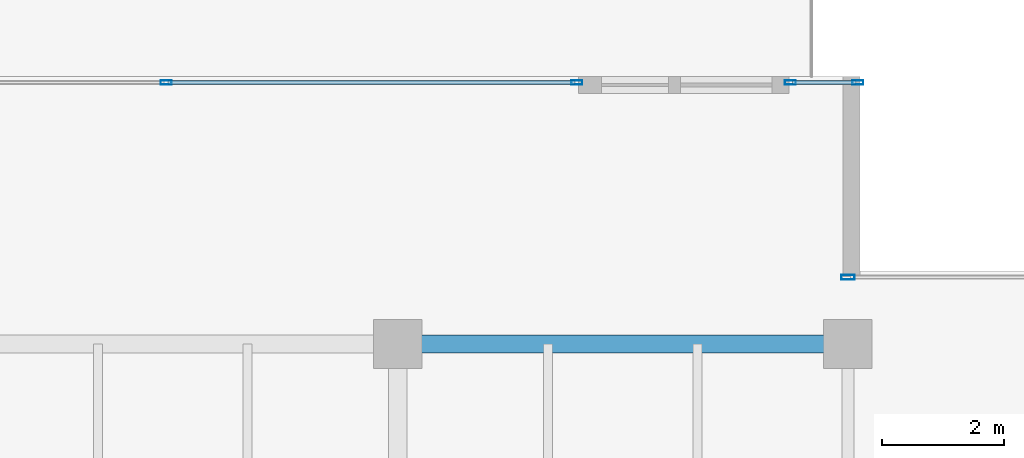
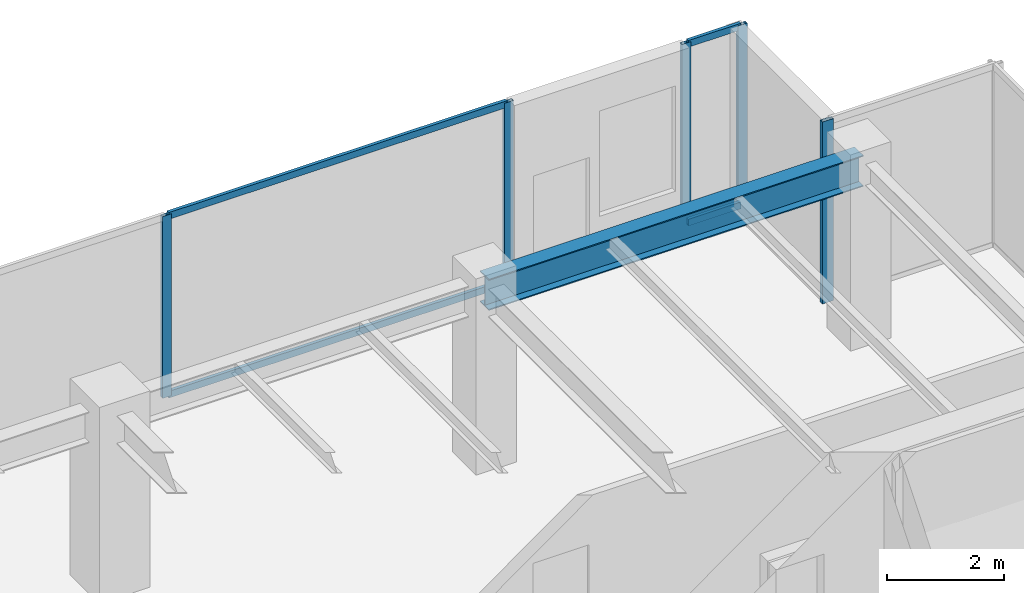
# One storey, part 21 of 34: 9 members, 1 beam, 3 elements without a shape of their own.
"""IFC4 building model written with IfcOpenShell, lengths in metres."""

from ifc_helpers import new_model, si_unit, direction, frame, origin, origin_2d, place, context, subcontext, project, spatial, hollow_rectangle, i_section, extrude, source, transform, mapped, material, layer, layer_set, material_profile, profile_set, type_object, type_shapes, element, aggregate, save


model = new_model("IFC4")

# Units and contexts
model_context = context("Model", 3, precision=1e-05, world=origin(), true_north=direction((0.0, 1.0)))
body_context = subcontext(model_context, "Body", "Model", "MODEL_VIEW")
ifc_project = project(units=[si_unit("LENGTHUNIT", "METRE"), si_unit("AREAUNIT", "SQUARE_METRE"), si_unit("VOLUMEUNIT", "CUBIC_METRE"), si_unit("PLANEANGLEUNIT", "RADIAN"), si_unit("MASSUNIT", "GRAM", prefix="KILO")], contexts=[model_context])

# Site, building, storey
site_placement = place(None, origin())
site = spatial("IfcSite", under=ifc_project, at=site_placement, CompositionType="ELEMENT")
building_placement = place(site_placement, origin())
building = spatial("IfcBuilding", under=site, at=building_placement, Name="Haelvirn Gate Laboratories", CompositionType="ELEMENT")
storey_placement = place(building_placement, frame((0.0, 0.0, 205.5)))
storey = spatial("IfcBuildingStorey", under=building, at=storey_placement, Name="L49", CompositionType="ELEMENT", Elevation=205.5)

# Beam
ifc_material_1 = material(Name="Steel SM355", Category="steel")
ifc_material_profile_1 = material_profile(ifc_material_1, i_section(OverallWidth=0.300048828125, OverallDepth=0.64990234375, WebThickness=0.012939453125, FlangeThickness=0.02197265625, at=origin_2d()), Name="H-650x300x13x22")
ifc_profile_set_1 = profile_set([ifc_material_profile_1], Name="Steel SM355")
beam_type = type_object("IfcBeamType", Name="BM-G-650", PredefinedType="BEAM", material=ifc_profile_set_1)
shared_shape_1 = source(origin(), body_context, "Body", "SweptSolid", [
    extrude(i_section(OverallWidth=0.300048828125, OverallDepth=0.64990234375, WebThickness=0.012939453125, FlangeThickness=0.02197265625, at=origin_2d()), origin(), (0.0, 0.0, 1.0), 7.39990234375),
])
type_shapes(beam_type, [shared_shape_1])
beam_placement = place(storey_placement, frame((60.0, 41.60009765625, 3.47509765625), z_axis=(1.0, 0.0, 0.0), x_axis=(0.0, 1.0, 0.0)))
element("IfcBeam", 1, at=beam_placement, inside=storey, type_object=beam_type, Name="L49 Primary Girder Y41.6 (60.0-67.4)", PredefinedType="BEAM", context=body_context, shape_type="MappedRepresentation", body=[
    mapped(shared_shape_1, transform((0.0, 0.0, 0.0), scale=1.0)),
])

# Curtain wall, members
ifc_material_2 = material(Name="Anodised bronze unitised aluminium & triple low-E glass", Category="aluminium")
ifc_layer_1 = layer(ifc_material_2, 0.176025390625, Name="CW-SYS-4")
ifc_layer_set_1 = layer_set([ifc_layer_1], Name="Anodised bronze unitised aluminium & triple low-E glass")
curtain_wall_type_1 = type_object("IfcCurtainWallType", Name="CW-SYS-4", PredefinedType="NOTDEFINED", material=ifc_layer_set_1)
curtain_wall_1_placement = place(storey_placement, origin())
curtain_wall_1 = element("IfcCurtainWall", 2, at=curtain_wall_1_placement, inside=storey, type_object=curtain_wall_type_1, Name="L49 Unitised Curtain Wall CW-L49-P0-E10-1", PredefinedType="NOTDEFINED")
ifc_material_3 = material(Name="Extruded aluminium 6063-T6 (anodised bronze)", Category="aluminium")
ifc_material_profile_2 = material_profile(ifc_material_3, hollow_rectangle(XDim=0.070068359375, YDim=0.179931640625, WallThickness=0.0048828125, at=origin_2d()), Name="CWM-180x70x5")
ifc_profile_set_2 = profile_set([ifc_material_profile_2], Name="Extruded aluminium 6063-T6 (anodised bronze)")
member_type_1 = type_object("IfcMemberType", Name="CWM-T180", PredefinedType="MULLION", material=ifc_profile_set_2)
shared_shape_2 = source(origin(), body_context, "Body", "SweptSolid", [
    extrude(hollow_rectangle(XDim=0.070068359375, YDim=0.179931640625, WallThickness=0.0048828125, at=origin_2d()), origin(), (0.0, 0.0, 1.0), 3.800048828125),
])
type_shapes(member_type_1, [shared_shape_2])
member_1_placement = place(storey_placement, frame((56.18994140625, 45.89990234375, 0.0), z_axis=(0.0, 0.0, 1.0), x_axis=(0.0, 1.0, 0.0)))
member_1 = element("IfcMember", 3, at=member_1_placement, type_object=member_type_1, Name="CW4 mullion 2", PredefinedType="MULLION", context=body_context, shape_type="MappedRepresentation", body=[
    mapped(shared_shape_2, transform((0.0, 0.0, 0.0), scale=1.0)),
])
member_2_placement = place(storey_placement, frame((62.945068359375, 45.89990234375, 0.0), z_axis=(0.0, 0.0, 1.0), x_axis=(0.0, 1.0, 0.0)))
member_2 = element("IfcMember", 4, at=member_2_placement, type_object=member_type_1, Name="CW4 mullion 3", PredefinedType="MULLION", context=body_context, shape_type="MappedRepresentation", body=[
    mapped(shared_shape_2, transform((0.0, 0.0, 0.0), scale=1.0)),
])

curtain_wall_2_placement = place(storey_placement, origin())
curtain_wall_2 = element("IfcCurtainWall", 5, at=curtain_wall_2_placement, inside=storey, type_object=curtain_wall_type_1, Name="L49 Unitised Curtain Wall CW-L49-P0-E10-2", PredefinedType="NOTDEFINED")
member_3_placement = place(storey_placement, frame((66.455078125, 45.89990234375, 0.0), z_axis=(0.0, 0.0, 1.0), x_axis=(0.0, 1.0, 0.0)))
member_3 = element("IfcMember", 6, at=member_3_placement, type_object=member_type_1, Name="CW4 mullion 1", PredefinedType="MULLION", context=body_context, shape_type="MappedRepresentation", body=[
    mapped(shared_shape_2, transform((0.0, 0.0, 0.0), scale=1.0)),
])
member_4_placement = place(storey_placement, frame((67.56494140625, 45.89990234375, 0.0), z_axis=(0.0, 0.0, 1.0), x_axis=(0.0, 1.0, 0.0)))
member_4 = element("IfcMember", 7, at=member_4_placement, type_object=member_type_1, Name="CW4 mullion 2", PredefinedType="MULLION", context=body_context, shape_type="MappedRepresentation", body=[
    mapped(shared_shape_2, transform((0.0, 0.0, 0.0), scale=1.0)),
])

# Curtain wall, member
ifc_layer_2 = layer(ifc_material_2, 0.181884765625, Name="CW-SYS-5")
ifc_layer_set_2 = layer_set([ifc_layer_2], Name="Anodised bronze unitised aluminium & triple low-E glass")
curtain_wall_type_2 = type_object("IfcCurtainWallType", Name="CW-SYS-5", PredefinedType="NOTDEFINED", material=ifc_layer_set_2)
curtain_wall_3_placement = place(storey_placement, origin())
curtain_wall_3 = element("IfcCurtainWall", 8, at=curtain_wall_3_placement, inside=storey, type_object=curtain_wall_type_2, Name="L49 Unitised Curtain Wall CW-L49-P0-E08-1", PredefinedType="NOTDEFINED")
ifc_material_profile_3 = material_profile(ifc_material_3, hollow_rectangle(XDim=0.080078125, YDim=0.219970703125, WallThickness=0.006103515625, at=origin_2d()), Name="CWM-220x80x6")
ifc_profile_set_3 = profile_set([ifc_material_profile_3], Name="Extruded aluminium 6063-T6 (anodised bronze)")
member_type_2 = type_object("IfcMemberType", Name="CWM-T220", PredefinedType="MULLION", material=ifc_profile_set_3)
shared_shape_3 = source(origin(), body_context, "Body", "SweptSolid", [
    extrude(hollow_rectangle(XDim=0.080078125, YDim=0.219970703125, WallThickness=0.006103515625, at=origin_2d()), origin(), (0.0, 0.0, 1.0), 3.800048828125),
])
type_shapes(member_type_2, [shared_shape_3])
member_5_placement = place(storey_placement, frame((67.39990234375, 42.699951171875, 0.0), z_axis=(0.0, 0.0, 1.0), x_axis=(0.0, 1.0, 0.0)))
member_5 = element("IfcMember", 9, at=member_5_placement, type_object=member_type_2, Name="CW5 mullion 1", PredefinedType="MULLION", context=body_context, shape_type="MappedRepresentation", body=[
    mapped(shared_shape_3, transform((0.0, 0.0, 0.0), scale=1.0)),
])
aggregate(curtain_wall_3, [member_5])

# Member
ifc_material_profile_4 = material_profile(ifc_material_3, hollow_rectangle(XDim=0.06494140625, YDim=0.139892578125, WallThickness=0.00390625, at=origin_2d()), Name="CWT-140x65x4")
ifc_profile_set_4 = profile_set([ifc_material_profile_4], Name="Extruded aluminium 6063-T6 (anodised bronze)")
member_type_3 = type_object("IfcMemberType", Name="CWT-T140", PredefinedType="USERDEFINED", material=ifc_profile_set_4)
shared_shape_4 = source(origin(), body_context, "Body", "SweptSolid", [
    extrude(hollow_rectangle(XDim=0.06494140625, YDim=0.139892578125, WallThickness=0.00390625, at=origin_2d()), origin(), (0.0, 0.0, 1.0), 6.684814453125),
])
member_6_placement = place(storey_placement, frame((56.22509765625, 45.89990234375, 0.032470703125), z_axis=(1.0, 0.0, 0.0), x_axis=(0.0, 1.0, 0.0)))
member_6 = element("IfcMember", 10, at=member_6_placement, type_object=member_type_3, Name="CW4 transom 2.1", ObjectType="TRANSOM", PredefinedType="USERDEFINED", context=body_context, shape_type="MappedRepresentation", body=[
    mapped(shared_shape_4, transform((0.0, 0.0, 0.0), scale=1.0)),
])

member_7_placement = place(storey_placement, frame((56.22509765625, 45.89990234375, 3.767578125), z_axis=(1.0, 0.0, 0.0), x_axis=(0.0, 1.0, 0.0)))
member_7 = element("IfcMember", 11, at=member_7_placement, type_object=member_type_3, Name="CW4 transom 2.2", ObjectType="TRANSOM", PredefinedType="USERDEFINED", context=body_context, shape_type="MappedRepresentation", body=[
    mapped(shared_shape_4, transform((0.0, 0.0, 0.0), scale=1.0)),
])

aggregate(curtain_wall_1, [member_1, member_2, member_6, member_7])

shared_shape_5 = source(origin(), body_context, "Body", "SweptSolid", [
    extrude(hollow_rectangle(XDim=0.06494140625, YDim=0.139892578125, WallThickness=0.00390625, at=origin_2d()), origin(), (0.0, 0.0, 1.0), 1.0400390625),
])
type_shapes(member_type_3, [shared_shape_4, shared_shape_5])
member_8_placement = place(storey_placement, frame((66.489990234375, 45.89990234375, 0.032470703125), z_axis=(1.0, 0.0, 0.0), x_axis=(0.0, 1.0, 0.0)))
member_8 = element("IfcMember", 12, at=member_8_placement, type_object=member_type_3, Name="CW4 transom 1.1", ObjectType="TRANSOM", PredefinedType="USERDEFINED", context=body_context, shape_type="MappedRepresentation", body=[
    mapped(shared_shape_5, transform((0.0, 0.0, 0.0), scale=1.0)),
])

member_9_placement = place(storey_placement, frame((66.489990234375, 45.89990234375, 3.767578125), z_axis=(1.0, 0.0, 0.0), x_axis=(0.0, 1.0, 0.0)))
member_9 = element("IfcMember", 13, at=member_9_placement, type_object=member_type_3, Name="CW4 transom 1.2", ObjectType="TRANSOM", PredefinedType="USERDEFINED", context=body_context, shape_type="MappedRepresentation", body=[
    mapped(shared_shape_5, transform((0.0, 0.0, 0.0), scale=1.0)),
])

aggregate(curtain_wall_2, [member_3, member_4, member_8, member_9])

save(model, "model.ifc")
